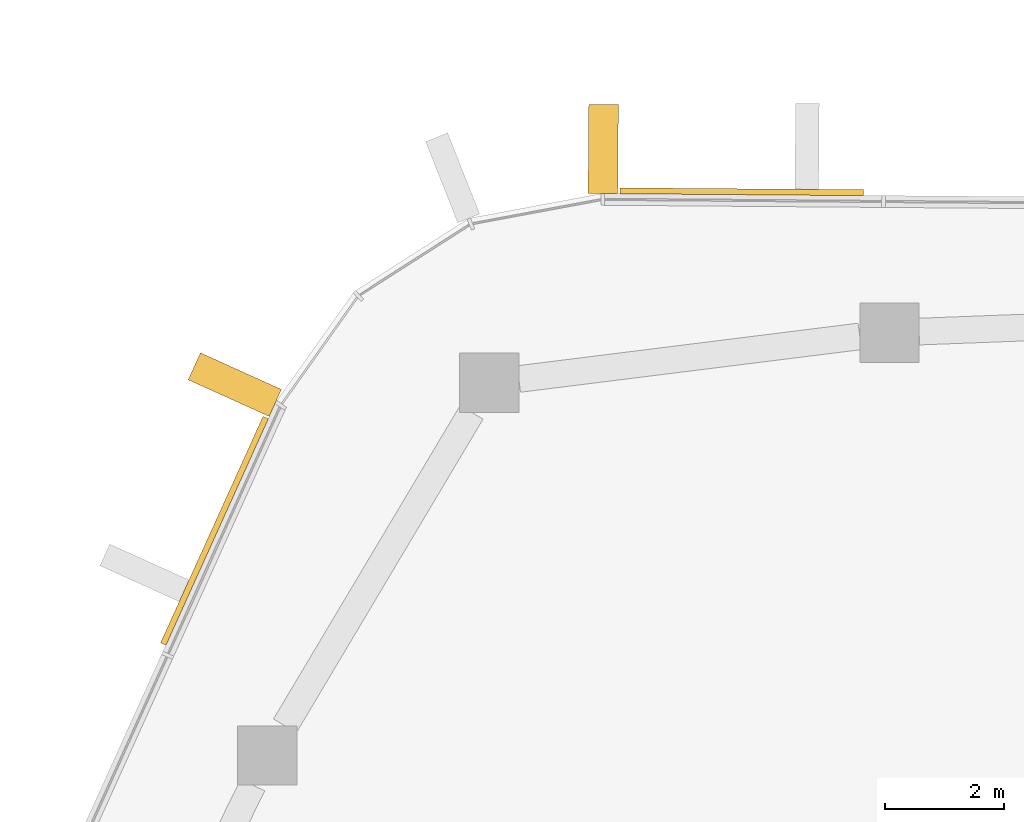
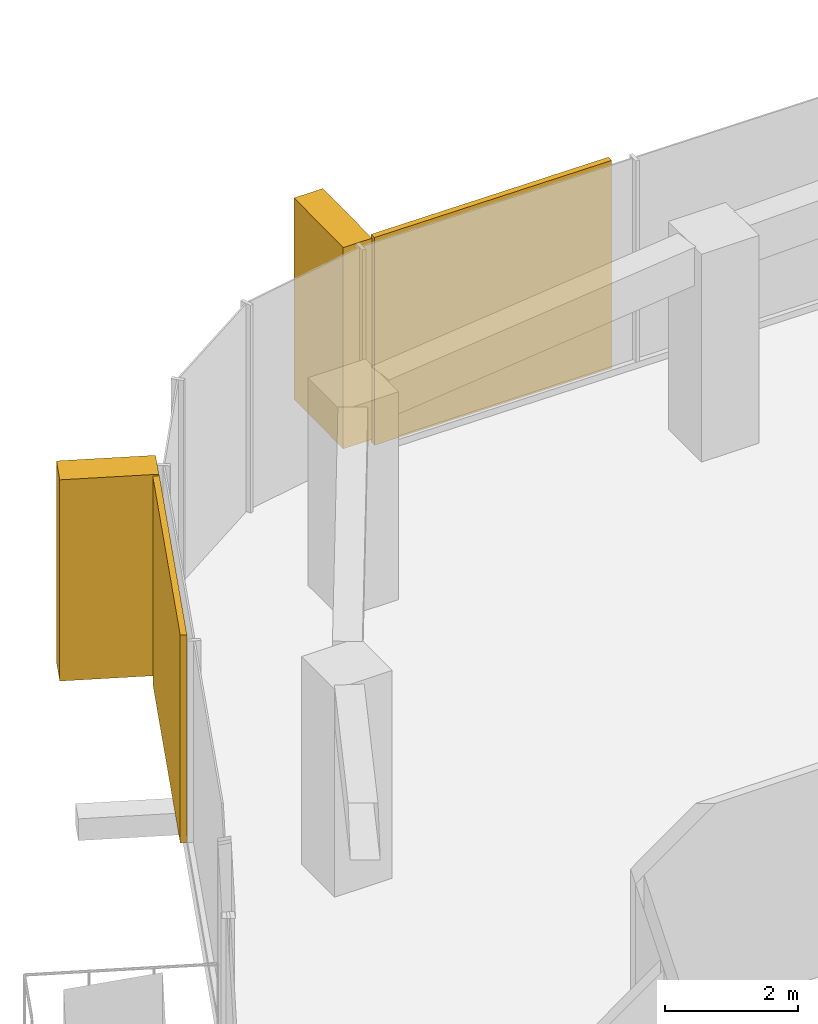
# One storey, part 21 of 23: 4 coverings, 2 elements without a shape of their own.
"""IFC4 building model written with IfcOpenShell, lengths in metres."""

from ifc_helpers import new_model, si_unit, direction, frame, origin, origin_2d, place, context, subcontext, project, spatial, rectangle, extrude, material, layer, layer_set, material_profile, profile_set, type_object, element, aggregate, save


model = new_model("IFC4")

# Units and contexts
model_context = context("Model", 3, precision=1e-05, world=origin(), true_north=direction((0.0, 1.0)))
body_context = subcontext(model_context, "Body", "Model", "MODEL_VIEW")
ifc_project = project(units=[si_unit("LENGTHUNIT", "METRE"), si_unit("AREAUNIT", "SQUARE_METRE"), si_unit("VOLUMEUNIT", "CUBIC_METRE"), si_unit("PLANEANGLEUNIT", "RADIAN"), si_unit("MASSUNIT", "GRAM", prefix="KILO")], contexts=[model_context])

# Site, building, storey
site_placement = place(None, origin())
site = spatial("IfcSite", under=ifc_project, at=site_placement, CompositionType="ELEMENT")
building_placement = place(site_placement, origin())
building = spatial("IfcBuilding", under=site, at=building_placement, Name="Dongbaek Canopy Tower", CompositionType="ELEMENT")
storey_placement = place(building_placement, frame((0.0, 0.0, 323.60009765625)))
storey = spatial("IfcBuildingStorey", under=building, at=storey_placement, Name="L69", CompositionType="ELEMENT", Elevation=323.60009765625)

# Curtain wall, covering
ifc_material_1 = material(Name="Aluminium 6063-T6 pale anodised", Category="aluminium")
ifc_layer_1 = layer(ifc_material_1, 0.199951171875)
ifc_layer_set_1 = layer_set([ifc_layer_1], Name="CW-1 unitised tower curtain wall")
curtain_wall_type = type_object("IfcCurtainWallType", Name="CW-1 unitised tower curtain wall", PredefinedType="NOTDEFINED", material=ifc_layer_set_1)
curtain_wall_1_placement = place(storey_placement, origin())
curtain_wall_1 = element("IfcCurtainWall", 1, at=curtain_wall_1_placement, inside=storey, type_object=curtain_wall_type, Name="CW-1 curtain wall F1.1", PredefinedType="NOTDEFINED")
ifc_material_2 = material(Name="Perforated aluminium 6063-T6 pale metal screen", Category="aluminium")
ifc_layer_2 = layer(ifc_material_2, 0.10009765625)
ifc_layer_set_2 = layer_set([ifc_layer_2], Name="Facet screen FS1 100 pale metal")
covering_type_1 = type_object("IfcCoveringType", Name="Facet screen FS1 100 pale metal", PredefinedType="CLADDING", material=ifc_layer_set_2)
covering_1_placement = place(storey_placement, frame((-10.801025390625, 29.542724609375, 0.0), z_axis=(0.0, 0.0, 1.0), x_axis=(-0.999969717098, 0.007782344576, 0.0)))
covering_1 = element("IfcCovering", 2, at=covering_1_placement, type_object=covering_type_1, Name="Facet screen L69 F1", PredefinedType="CLADDING", context=body_context, shape_type="SweptSolid", body=[
    extrude(rectangle(XDim=4.10546875, YDim=0.10009765625, at=origin_2d()), origin(), (0.0, 0.0, 1.0), 3.820068359375),
])

curtain_wall_2_placement = place(storey_placement, origin())
curtain_wall_2 = element("IfcCurtainWall", 3, at=curtain_wall_2_placement, inside=storey, type_object=curtain_wall_type, Name="CW-1 curtain wall F2.1", PredefinedType="NOTDEFINED")
covering_2_placement = place(storey_placement, frame((-19.697021484375, 23.822509765625, 0.0), z_axis=(0.0, 0.0, 1.0), x_axis=(-0.41212191404, -0.911128710978, 0.0)))
covering_2 = element("IfcCovering", 4, at=covering_2_placement, type_object=covering_type_1, Name="Facet screen L69 F2", PredefinedType="CLADDING", context=body_context, shape_type="SweptSolid", body=[
    extrude(rectangle(XDim=4.19580078125, YDim=0.10009765625, at=origin_2d()), origin(), (0.0, 0.0, 1.0), 3.820068359375),
])

# Covering
ifc_material_3 = material(Name="Aluminium 6063-T6 pale metal fin", Category="aluminium")
ifc_material_profile = material_profile(ifc_material_3, rectangle(XDim=1.5, YDim=0.5, at=origin_2d()), Name="Fin FN1 500 x 1500 pale metal")
ifc_profile_set = profile_set([ifc_material_profile], Name="Aluminium 6063-T6 pale metal fin")
covering_type_2 = type_object("IfcCoveringType", Name="Fin FN1 500 x 1500 pale metal", PredefinedType="CLADDING", material=ifc_profile_set)
covering_3_placement = place(storey_placement, frame((-13.13818359375, 30.264892578125, 0.119873046875), z_axis=(0.0, 0.0, 1.0), x_axis=(0.007781807363, 0.999969721279, 0.0)))
covering_3 = element("IfcCovering", 5, at=covering_3_placement, type_object=covering_type_2, Name="Fin F1.1.3", PredefinedType="CLADDING", context=body_context, shape_type="SweptSolid", body=[
    extrude(rectangle(XDim=1.5, YDim=0.5, at=origin_2d()), origin(), (0.0, 0.0, 1.0), 3.699951171875),
])

aggregate(curtain_wall_1, [covering_3, covering_1])

covering_4_placement = place(storey_placement, frame((-19.3544921875, 26.288330078125, 0.119873046875), z_axis=(0.0, 0.0, 1.0), x_axis=(-0.911128562459, 0.412122242389, 0.0)))
covering_4 = element("IfcCovering", 6, at=covering_4_placement, type_object=covering_type_2, Name="Fin F2.1.1", PredefinedType="CLADDING", context=body_context, shape_type="SweptSolid", body=[
    extrude(rectangle(XDim=1.5, YDim=0.5, at=origin_2d()), origin(), (0.0, 0.0, 1.0), 3.699951171875),
])

aggregate(curtain_wall_2, [covering_4, covering_2])

save(model, "model.ifc")
